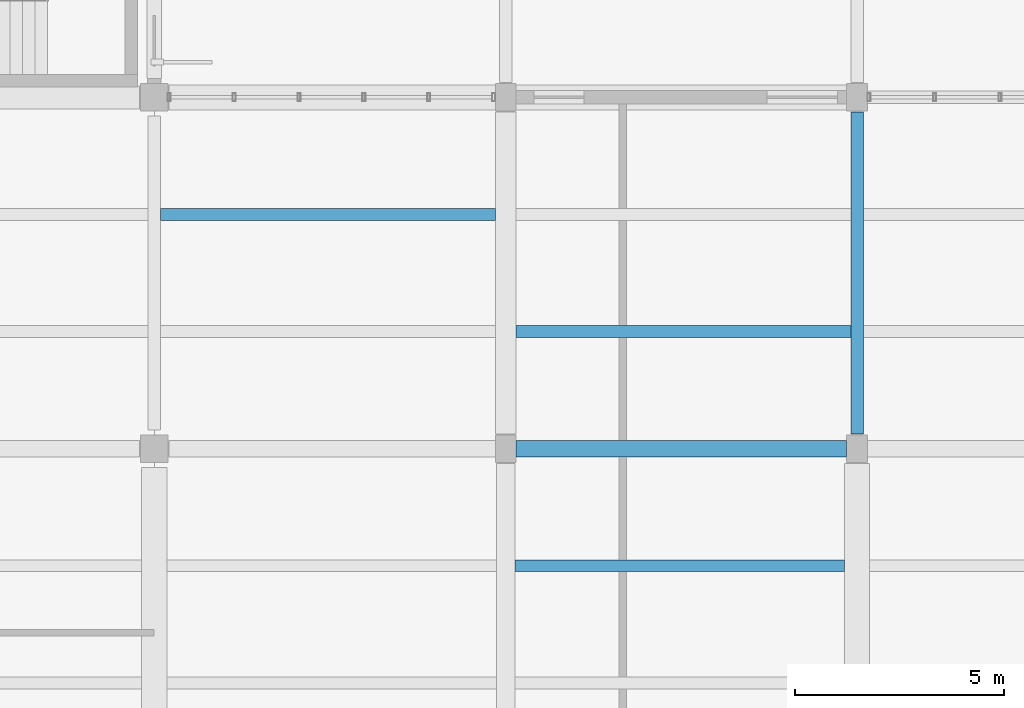
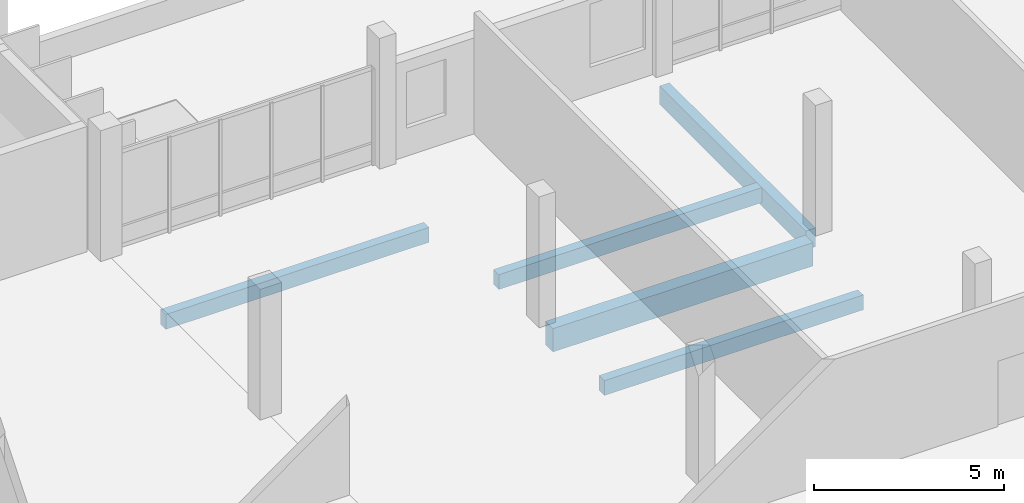
# One storey, part 36 of 101: 5 beams.
"""IFC4 building model written with IfcOpenShell, lengths in metres."""

from ifc_helpers import new_model, si_unit, direction, frame, origin, origin_2d, place, context, subcontext, project, spatial, rectangle, extrude, material, material_profile, profile_set, type_object, element, save


model = new_model("IFC4")

# Units and contexts
model_context = context("Model", 3, precision=1e-05, world=origin(), true_north=direction((0.0, 1.0)))
body_context = subcontext(model_context, "Body", "Model", "MODEL_VIEW")
ifc_project = project(units=[si_unit("LENGTHUNIT", "METRE"), si_unit("AREAUNIT", "SQUARE_METRE"), si_unit("VOLUMEUNIT", "CUBIC_METRE"), si_unit("PLANEANGLEUNIT", "RADIAN"), si_unit("MASSUNIT", "GRAM", prefix="KILO")], contexts=[model_context])

# Site, building, storey
site_placement = place(None, origin())
site = spatial("IfcSite", under=ifc_project, at=site_placement, CompositionType="ELEMENT")
building_placement = place(site_placement, origin())
building = spatial("IfcBuilding", under=site, at=building_placement, Name="Vireocrest Preparatory School", CompositionType="ELEMENT")
storey_placement = place(building_placement, frame((0.0, 0.0, 4.800048828125)))
storey = spatial("IfcBuildingStorey", under=building, at=storey_placement, Name="L01", CompositionType="ELEMENT", Elevation=4.800048828125)

# Beams
ifc_material = material(Name="Concrete 40 MPa", Category="concrete")
ifc_material_profile_1 = material_profile(ifc_material, rectangle(XDim=0.300048828125, YDim=0.60009765625, at=origin_2d()), Name="RC 300x600")
ifc_profile_set_1 = profile_set([ifc_material_profile_1], Name="Concrete 40 MPa")
beam_type_1 = type_object("IfcBeamType", Name="RC Classroom Beam 300x600", PredefinedType="BEAM", material=ifc_profile_set_1)
beam_1_placement = place(storey_placement, frame((126.0, 35.75, -0.580078125), z_axis=(0.0, 1.0, 0.0), x_axis=(-1.0, 0.0, 0.0)))
element("IfcBeam", 1, at=beam_1_placement, inside=storey, type_object=beam_type_1, Name="Primary Girder B03 L01-0482", PredefinedType="BEAM", context=body_context, shape_type="SweptSolid", body=[
    extrude(rectangle(XDim=0.300048828125, YDim=0.60009765625, at=origin_2d()), origin(), (0.0, 0.0, 1.0), 7.699951171875),
])
ifc_material_profile_2 = material_profile(ifc_material, rectangle(XDim=0.39990234375, YDim=0.75, at=origin_2d()), Name="RC 400x750")
ifc_profile_set_2 = profile_set([ifc_material_profile_2], Name="Concrete 40 MPa")
beam_type_2 = type_object("IfcBeamType", Name="RC Commons Girder 400x750", PredefinedType="BEAM", material=ifc_profile_set_2)
beam_2_placement = place(storey_placement, frame((117.85009765625, 35.39990234375, -0.655029296875), z_axis=(1.0, 0.0, 0.0), x_axis=(0.0, 1.0, 0.0)))
element("IfcBeam", 2, at=beam_2_placement, inside=storey, type_object=beam_type_2, Name="Primary Girder B09 L01-0295", PredefinedType="BEAM", context=body_context, shape_type="SweptSolid", body=[
    extrude(rectangle(XDim=0.39990234375, YDim=0.75, at=origin_2d()), origin(), (0.0, 0.0, 1.0), 7.89990234375),
])
ifc_material_profile_3 = material_profile(ifc_material, rectangle(XDim=0.280029296875, YDim=0.47998046875, at=origin_2d()), Name="RC 280x480")
ifc_profile_set_3 = profile_set([ifc_material_profile_3], Name="Concrete 40 MPa")
beam_type_3 = type_object("IfcBeamType", Name="RC Secondary Lab Joist 280x480", PredefinedType="JOIST", material=ifc_profile_set_3)
beam_3_placement = place(storey_placement, frame((109.35009765625, 41.0, -0.52001953125), z_axis=(1.0, 0.0, 0.0), x_axis=(0.0, 1.0, 0.0)))
element("IfcBeam", 3, at=beam_3_placement, inside=storey, type_object=beam_type_3, Name="Secondary Joist J02 L01-0632", PredefinedType="JOIST", context=body_context, shape_type="SweptSolid", body=[
    extrude(rectangle(XDim=0.280029296875, YDim=0.47998046875, at=origin_2d()), origin(), (0.0, 0.0, 1.0), 8.0),
])
beam_4_placement = place(storey_placement, frame((117.824951171875, 32.60009765625, -0.52001953125), z_axis=(1.0, 0.0, 0.0), x_axis=(0.0, 1.0, 0.0)))
element("IfcBeam", 4, at=beam_4_placement, inside=storey, type_object=beam_type_3, Name="Secondary Joist J02 L01-0644", PredefinedType="JOIST", context=body_context, shape_type="SweptSolid", body=[
    extrude(rectangle(XDim=0.280029296875, YDim=0.47998046875, at=origin_2d()), origin(), (0.0, 0.0, 1.0), 7.875),
])
beam_5_placement = place(storey_placement, frame((117.85009765625, 38.199951171875, -0.52001953125), z_axis=(1.0, 0.0, 0.0), x_axis=(0.0, 1.0, 0.0)))
element("IfcBeam", 5, at=beam_5_placement, inside=storey, type_object=beam_type_3, Name="Secondary Joist J02 L01-0645", PredefinedType="JOIST", context=body_context, shape_type="SweptSolid", body=[
    extrude(rectangle(XDim=0.280029296875, YDim=0.47998046875, at=origin_2d()), origin(), (0.0, 0.0, 1.0), 8.0),
])

save(model, "model.ifc")
